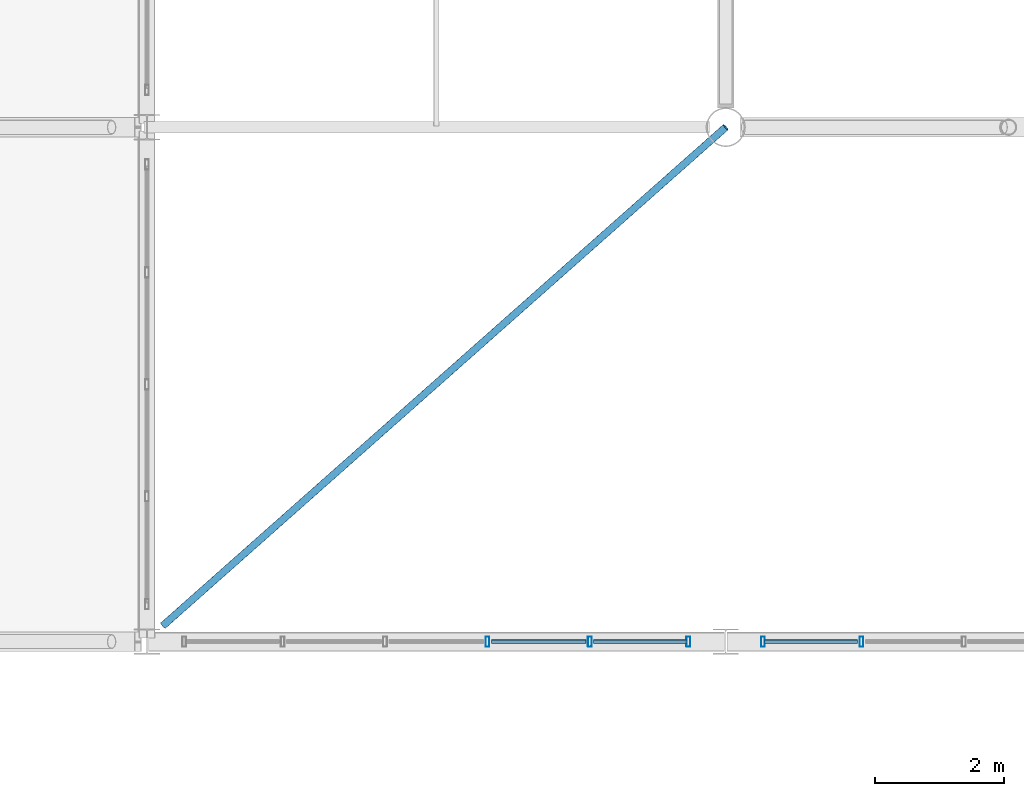
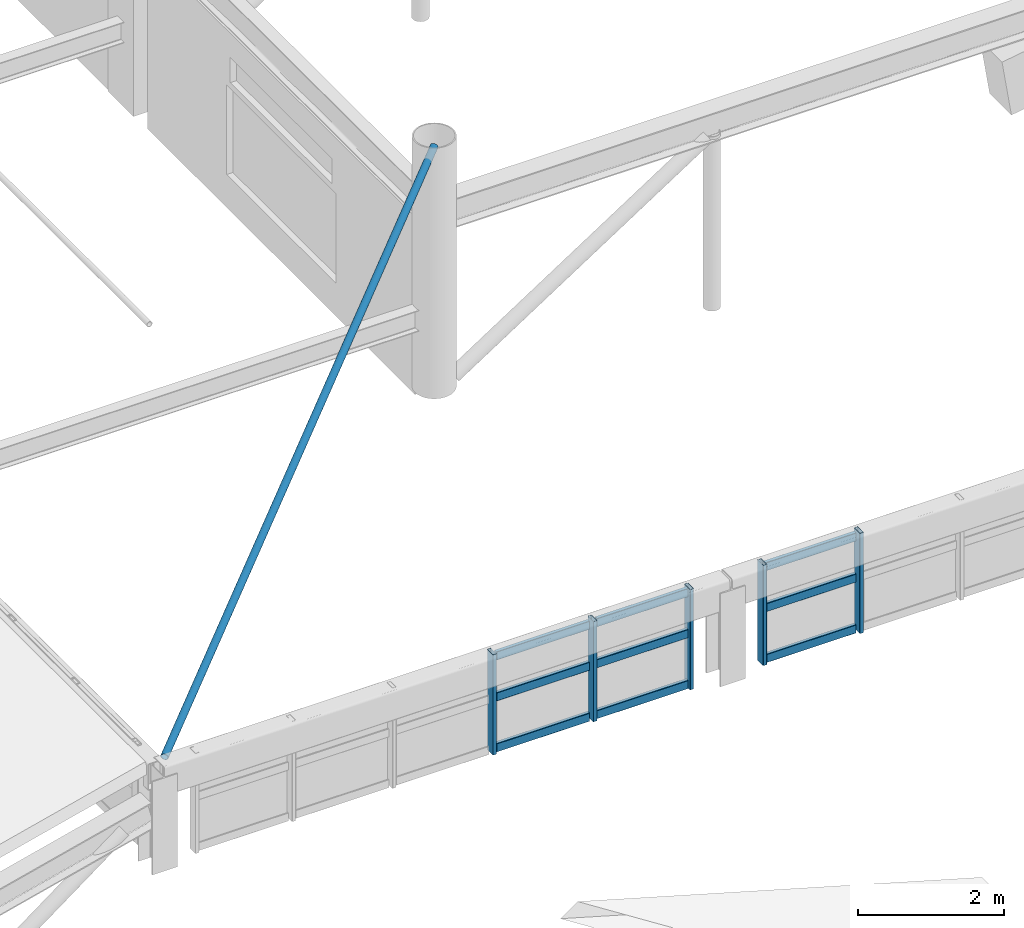
# One storey, part 14 of 128: 15 members, 2 elements without a shape of their own.
"""IFC4 building model written with IfcOpenShell, lengths in metres."""

import ifcopenshell
import ifcopenshell.guid

model = None  # the IFC model being written
_history = None  # IfcOwnerHistory: only IFC2X3 demands one
_inside = {}  # id of a spatial element -> (the spatial element, [elements in it])
_under = {}  # id of a project, library or spatial element -> (it, [spatial elements below it])
_declared = {}  # id of a project -> (the project, [libraries it declares])
_typed = {}  # id of a type object -> (the type object, [elements of that type])
_made_of = {}  # id of a material, layer set ... -> (it, [elements and type objects made of it])


def new_model(schema):
    """Start an empty IFC model of exactly this schema.

    Asked for "IFC4X3", IfcOpenShell would pick the latest addendum, in which some entities
    have other attributes; the version numbers below select the first issue.
    IFC2X3 requires an IfcOwnerHistory on every rooted entity: one is made here for all.
    """
    global model, _history
    if schema == "IFC4X3":
        model = ifcopenshell.file(schema_version=(4, 3, 0, 0))
    else:
        model = ifcopenshell.file(schema=schema)
    _inside.clear()
    _under.clear()
    _declared.clear()
    _typed.clear()
    _made_of.clear()
    _history = None
    if model.schema == "IFC2X3":
        org = make("IfcOrganization", Name="unknown")
        user = make(
            "IfcPersonAndOrganization",
            ThePerson=make("IfcPerson", FamilyName="unknown"),
            TheOrganization=org,
        )
        app = make(
            "IfcApplication",
            ApplicationDeveloper=org,
            Version="unknown",
            ApplicationFullName="unknown",
            ApplicationIdentifier="unknown",
        )
        _history = make(
            "IfcOwnerHistory",
            OwningUser=user,
            OwningApplication=app,
            ChangeAction="ADDED",
            CreationDate=0,
        )
    return model


def make(cls, **values):
    """One entity of the class cls with the attributes given. An attribute that is None is left unset."""
    return model.create_entity(
        cls, **{name: value for name, value in values.items() if value is not None}
    )


def rooted(cls, **values):
    """An entity with a GlobalId (a new one), such as an element, a storey or a relation."""
    return make(cls, GlobalId=ifcopenshell.guid.new(), OwnerHistory=_history, **values)


def si_unit(unit_type, name, prefix=None):
    """IfcSIUnit, for example si_unit("LENGTHUNIT", "METRE", prefix="MILLI")."""
    return make("IfcSIUnit", UnitType=unit_type, Prefix=prefix, Name=name)


def derived_unit(unit_type, elements):
    """IfcDerivedUnit: a product of units, each with its exponent."""
    return make(
        "IfcDerivedUnit",
        Elements=[
            make("IfcDerivedUnitElement", Unit=unit, Exponent=power)
            for unit, power in elements
        ],
        UnitType=unit_type,
    )


def assignment(units):
    """IfcUnitAssignment: the units of a project."""
    return None if units is None else make("IfcUnitAssignment", Units=units)


def point(xyz):
    """IfcCartesianPoint."""
    return None if xyz is None else make("IfcCartesianPoint", Coordinates=xyz)


def direction(xyz):
    """IfcDirection."""
    return None if xyz is None else make("IfcDirection", DirectionRatios=xyz)


def frame(location, z_axis=None, x_axis=None):
    """IfcAxis2Placement3D, a coordinate frame: its origin and axes. An axis left out is left unset."""
    return make(
        "IfcAxis2Placement3D",
        Location=point(location),
        Axis=direction(z_axis),
        RefDirection=direction(x_axis),
    )


def frame_2d(location, x_axis=None):
    """IfcAxis2Placement2D, a coordinate frame in the plane: its origin and x axis."""
    return make(
        "IfcAxis2Placement2D", Location=point(location), RefDirection=direction(x_axis)
    )


def origin():
    """The frame at (0, 0, 0) with its axes left unset."""
    return frame((0.0, 0.0, 0.0))


def origin_2d():
    """The frame at (0, 0) in the plane with its x axis left unset."""
    return frame_2d((0.0, 0.0))


def place(relative_to, where):
    """IfcLocalPlacement: puts the frame where relative to a parent placement (None: the world)."""
    return make(
        "IfcLocalPlacement", PlacementRelTo=relative_to, RelativePlacement=where
    )


def context(
    kind, dimensions, precision=None, world=None, true_north=None, identifier=None
):
    """IfcGeometricRepresentationContext, for example the 3D "Model" context."""
    return make(
        "IfcGeometricRepresentationContext",
        ContextIdentifier=identifier,
        ContextType=kind,
        CoordinateSpaceDimension=dimensions,
        Precision=precision,
        WorldCoordinateSystem=world,
        TrueNorth=true_north,
    )


def subcontext(parent, identifier, kind, view, scale=None):
    """IfcGeometricRepresentationSubContext, for example "Body" below "Model"."""
    return make(
        "IfcGeometricRepresentationSubContext",
        ContextIdentifier=identifier,
        ContextType=kind,
        ParentContext=parent,
        TargetScale=scale,
        TargetView=view,
    )


def project(units=None, contexts=None):
    """IfcProject with its units and contexts."""
    return rooted(
        "IfcProject",
        Name="project",
        RepresentationContexts=contexts,
        UnitsInContext=assignment(units),
    )


def spatial(cls, under=None, at=None, **own):
    """A site, building, storey or space (cls), placed at a placement, below another one or the project."""
    s = rooted(cls, ObjectPlacement=at, **own)
    if under is not None:
        _under.setdefault(under.id(), (under, []))[1].append(s)
    return s


def profile(cls, at=None, kind="AREA", **sizes):
    """A parametric profile (cls). Its sizes go by their IFC names, for example OverallWidth=200.0."""
    return make(cls, ProfileType=kind, Position=at, **sizes)


def hollow_rectangle(**sizes):
    """IfcRectangleHollowProfileDef."""
    return profile("IfcRectangleHollowProfileDef", **sizes)


def hollow_circle(**sizes):
    """IfcCircleHollowProfileDef."""
    return profile("IfcCircleHollowProfileDef", **sizes)


def extrude(swept, where, along, depth):
    """IfcExtrudedAreaSolid: the profile swept, set in the frame where, extruded along a direction by depth."""
    return make(
        "IfcExtrudedAreaSolid",
        SweptArea=swept,
        Position=where,
        ExtrudedDirection=direction(along),
        Depth=depth,
    )


def shape(context_of_items, identifier, shape_type, items):
    """IfcShapeRepresentation: the items that make up one representation, for example the "Body"."""
    return make(
        "IfcShapeRepresentation",
        ContextOfItems=context_of_items,
        RepresentationIdentifier=identifier,
        RepresentationType=shape_type,
        Items=items,
    )


def material(Name=None, Category=None):
    """IfcMaterial."""
    return make("IfcMaterial", Name=Name, Category=Category)


def material_profile(
    of_material, cross_section, Name=None, Category=None, Priority=None
):
    """IfcMaterialProfile: a cross section and its material."""
    return make(
        "IfcMaterialProfile",
        Name=Name,
        Material=of_material,
        Profile=cross_section,
        Priority=Priority,
        Category=Category,
    )


def profile_set(profiles, Name=None, composite=None):
    """IfcMaterialProfileSet."""
    return make(
        "IfcMaterialProfileSet",
        Name=Name,
        MaterialProfiles=profiles,
        CompositeProfile=composite,
    )


def made_of(thing, what):
    """Note that an element or type object is made of a material, layer set ...; save() writes the relation."""
    if what is not None:
        _made_of.setdefault(what.id(), (what, []))[1].append(thing)
    return thing


def type_object(cls, material=None, **own):
    """A type object (cls), such as IfcWallType, which elements share."""
    return made_of(rooted(cls, **own), material)


def element(
    cls,
    number,
    at=None,
    inside=None,
    cuts=None,
    type_object=None,
    material=None,
    context=None,
    identifier="Body",
    shape_type=None,
    held_by="IfcProductDefinitionShape",
    body=None,
    shapes=None,
    **own,
):
    """One element of the class cls, such as IfcWall. Its Tag is "e" and its number.

    at: its placement. inside: the storey or other place that contains it. cuts: it is an
    opening in that element (IfcRelVoidsElement). A single representation is given by context,
    identifier, shape_type and body (its items); several are given by shapes. held_by: the class
    of the entity that holds the representations. save() writes the other relations.
    """
    e = rooted(cls, Tag="e%d" % number, ObjectPlacement=at, **own)
    if body is not None:
        shapes = [shape(context, identifier, shape_type, body)]
    if shapes is not None:
        e.Representation = make(held_by, Representations=shapes)
    if inside is not None:
        _inside.setdefault(inside.id(), (inside, []))[1].append(e)
    if cuts is not None:
        rooted(
            "IfcRelVoidsElement", RelatingBuildingElement=cuts, RelatedOpeningElement=e
        )
    if type_object is not None:
        _typed.setdefault(type_object.id(), (type_object, []))[1].append(e)
    return made_of(e, material)


def aggregate(whole, parts):
    """IfcRelAggregates: a whole, such as a stair, and the parts it consists of."""
    return rooted("IfcRelAggregates", RelatingObject=whole, RelatedObjects=parts)


def save(model, path):
    """Write the relations noted so far, then the file.

    IfcRelAggregates (storeys below a building ...), IfcRelContainedInSpatialStructure (elements
    in a storey), IfcRelDefinesByType, IfcRelAssociatesMaterial and IfcRelDeclares: one each for
    every whole, place, type object, material and project.
    """
    for whole, parts in _under.values():
        aggregate(whole, parts)
    for where, things in _inside.values():
        rooted(
            "IfcRelContainedInSpatialStructure",
            RelatedElements=things,
            RelatingStructure=where,
        )
    for kind, things in _typed.values():
        rooted("IfcRelDefinesByType", RelatedObjects=things, RelatingType=kind)
    for what, things in _made_of.values():
        rooted("IfcRelAssociatesMaterial", RelatedObjects=things, RelatingMaterial=what)
    for by, libraries in _declared.values():
        rooted("IfcRelDeclares", RelatingContext=by, RelatedDefinitions=libraries)
    model.write(path)


model = new_model("IFC4")

# Units and contexts
model_context = context("Model", 3, precision=1e-05, world=origin(), true_north=direction((0.0, 1.0)))
body_context = subcontext(model_context, "Body", "Model", "MODEL_VIEW")
ifc_project = project(units=[si_unit("LENGTHUNIT", "METRE"), si_unit("AREAUNIT", "SQUARE_METRE"), si_unit("VOLUMEUNIT", "CUBIC_METRE"), si_unit("PLANEANGLEUNIT", "RADIAN"), si_unit("MASSUNIT", "GRAM", prefix="KILO"), derived_unit("THERMALTRANSMITTANCEUNIT", [(si_unit("MASSUNIT", "GRAM", prefix="KILO"), 1), (si_unit("TIMEUNIT", "SECOND"), -3), (si_unit("THERMODYNAMICTEMPERATUREUNIT", "KELVIN"), -1)])], contexts=[model_context])

# Site, building, storey
site_placement = place(None, origin())
site = spatial("IfcSite", under=ifc_project, at=site_placement, CompositionType="ELEMENT")
building_placement = place(site_placement, origin())
building = spatial("IfcBuilding", under=site, at=building_placement, Name="Zhenchuan Archway Interchange", CompositionType="ELEMENT")
storey_placement = place(building_placement, frame((0.0, 0.0, 14.39990234375)))
storey = spatial("IfcBuildingStorey", under=building, at=storey_placement, Name="L03", CompositionType="ELEMENT", Elevation=14.39990234375)

# Curtain wall, members
ifc_material_1 = material(Name="Anodised Aluminium", Category="aluminium")
curtain_wall_type = type_object("IfcCurtainWallType", Name="CW_UNIT_4", PredefinedType="NOTDEFINED", material=ifc_material_1)
curtain_wall_1_placement = place(storey_placement, origin())
curtain_wall_1 = element("IfcCurtainWall", 1, at=curtain_wall_1_placement, inside=storey, type_object=curtain_wall_type, Name="Unitised curtain wall CW:L03:RING-S1", PredefinedType="NOTDEFINED")
ifc_material_profile_1 = material_profile(ifc_material_1, hollow_rectangle(XDim=0.06005859375, YDim=0.159912109375, WallThickness=0.00390625, InnerFilletRadius=0.00390625, OuterFilletRadius=0.008056640625, at=origin_2d()), Name="ALU 160x60x4")
ifc_profile_set_1 = profile_set([ifc_material_profile_1], Name="Anodised Aluminium")
member_type_1 = type_object("IfcMemberType", Name="CW_MUL_150", PredefinedType="MULLION", material=ifc_profile_set_1)
member_1_placement = place(storey_placement, frame((32.2958984375, 24.0, 0.02001953125), z_axis=(0.0, 0.0, 1.0), x_axis=(1.0, 0.0, 0.0)))
member_1 = element("IfcMember", 2, at=member_1_placement, type_object=member_type_1, Name="CW:L03:RING-S1 mullion 3", PredefinedType="MULLION", context=body_context, shape_type="SweptSolid", body=[
    extrude(hollow_rectangle(XDim=0.06005859375, YDim=0.159912109375, WallThickness=0.00390625, InnerFilletRadius=0.00390625, OuterFilletRadius=0.008056640625, at=origin_2d()), origin(), (0.0, 0.0, 1.0), 1.68017578125),
])
member_2_placement = place(storey_placement, frame((33.887939453125, 24.0, 0.02001953125), z_axis=(0.0, 0.0, 1.0), x_axis=(1.0, 0.0, 0.0)))
member_2 = element("IfcMember", 3, at=member_2_placement, type_object=member_type_1, Name="CW:L03:RING-S1 mullion 4", PredefinedType="MULLION", context=body_context, shape_type="SweptSolid", body=[
    extrude(hollow_rectangle(XDim=0.06005859375, YDim=0.159912109375, WallThickness=0.00390625, InnerFilletRadius=0.00390625, OuterFilletRadius=0.008056640625, at=origin_2d()), origin(), (0.0, 0.0, 1.0), 1.68017578125),
])
member_3_placement = place(storey_placement, frame((35.419921875, 24.0, 0.02001953125), z_axis=(0.0, 0.0, 1.0), x_axis=(1.0, 0.0, 0.0)))
member_3 = element("IfcMember", 4, at=member_3_placement, type_object=member_type_1, Name="CW:L03:RING-S1 mullion 5", PredefinedType="MULLION", context=body_context, shape_type="SweptSolid", body=[
    extrude(hollow_rectangle(XDim=0.06005859375, YDim=0.159912109375, WallThickness=0.00390625, InnerFilletRadius=0.00390625, OuterFilletRadius=0.008056640625, at=origin_2d()), origin(), (0.0, 0.0, 1.0), 1.68017578125),
])

curtain_wall_2_placement = place(storey_placement, origin())
curtain_wall_2 = element("IfcCurtainWall", 5, at=curtain_wall_2_placement, inside=storey, type_object=curtain_wall_type, Name="Unitised curtain wall CW:L03:RING-S2", PredefinedType="NOTDEFINED")
member_4_placement = place(storey_placement, frame((36.580078125, 24.0, 0.02001953125), z_axis=(0.0, 0.0, 1.0), x_axis=(1.0, 0.0, 0.0)))
member_4 = element("IfcMember", 6, at=member_4_placement, type_object=member_type_1, Name="CW:L03:RING-S2 mullion 0", PredefinedType="MULLION", context=body_context, shape_type="SweptSolid", body=[
    extrude(hollow_rectangle(XDim=0.06005859375, YDim=0.159912109375, WallThickness=0.00390625, InnerFilletRadius=0.00390625, OuterFilletRadius=0.008056640625, at=origin_2d()), origin(), (0.0, 0.0, 1.0), 1.68017578125),
])
member_5_placement = place(storey_placement, frame((38.112060546875, 24.0, 0.02001953125), z_axis=(0.0, 0.0, 1.0), x_axis=(1.0, 0.0, 0.0)))
member_5 = element("IfcMember", 7, at=member_5_placement, type_object=member_type_1, Name="CW:L03:RING-S2 mullion 1", PredefinedType="MULLION", context=body_context, shape_type="SweptSolid", body=[
    extrude(hollow_rectangle(XDim=0.06005859375, YDim=0.159912109375, WallThickness=0.00390625, InnerFilletRadius=0.00390625, OuterFilletRadius=0.008056640625, at=origin_2d()), origin(), (0.0, 0.0, 1.0), 1.68017578125),
])

# Member
ifc_material_profile_2 = material_profile(ifc_material_1, hollow_rectangle(XDim=0.06005859375, YDim=0.139892578125, WallThickness=0.00341796875, InnerFilletRadius=0.00341796875, OuterFilletRadius=0.007080078125, at=origin_2d()), Name="ALU 140x60x3.5")
ifc_profile_set_2 = profile_set([ifc_material_profile_2], Name="Anodised Aluminium")
member_type_2 = type_object("IfcMemberType", Name="CW_TRN_140", PredefinedType="USERDEFINED", material=ifc_profile_set_2)
member_6_placement = place(storey_placement, frame((32.35595703125, 24.0, 0.080078125), z_axis=(1.0, 0.0, 0.0), x_axis=(0.0, 1.0, 0.0)))
member_6 = element("IfcMember", 8, at=member_6_placement, type_object=member_type_2, Name="CW:L03:RING-S1 transom 3-1", ObjectType="TRANSOM", PredefinedType="USERDEFINED", context=body_context, shape_type="SweptSolid", body=[
    extrude(hollow_rectangle(XDim=0.06005859375, YDim=0.139892578125, WallThickness=0.00341796875, InnerFilletRadius=0.00341796875, OuterFilletRadius=0.007080078125, at=origin_2d()), origin(), (0.0, 0.0, 1.0), 1.471923828125),
])

member_7_placement = place(storey_placement, frame((32.35595703125, 24.0, 0.93310546875), z_axis=(1.0, 0.0, 0.0), x_axis=(0.0, 1.0, 0.0)))
member_7 = element("IfcMember", 9, at=member_7_placement, type_object=member_type_2, Name="CW:L03:RING-S1 transom 3-2", ObjectType="TRANSOM", PredefinedType="USERDEFINED", context=body_context, shape_type="SweptSolid", body=[
    extrude(hollow_rectangle(XDim=0.06005859375, YDim=0.139892578125, WallThickness=0.00341796875, InnerFilletRadius=0.00341796875, OuterFilletRadius=0.007080078125, at=origin_2d()), origin(), (0.0, 0.0, 1.0), 1.471923828125),
])

member_8_placement = place(storey_placement, frame((32.35595703125, 24.0, 1.6201171875), z_axis=(1.0, 0.0, 0.0), x_axis=(0.0, 1.0, 0.0)))
member_8 = element("IfcMember", 10, at=member_8_placement, type_object=member_type_2, Name="CW:L03:RING-S1 transom 3-3", ObjectType="TRANSOM", PredefinedType="USERDEFINED", context=body_context, shape_type="SweptSolid", body=[
    extrude(hollow_rectangle(XDim=0.06005859375, YDim=0.139892578125, WallThickness=0.00341796875, InnerFilletRadius=0.00341796875, OuterFilletRadius=0.007080078125, at=origin_2d()), origin(), (0.0, 0.0, 1.0), 1.471923828125),
])

member_9_placement = place(storey_placement, frame((33.947998046875, 24.0, 0.080078125), z_axis=(1.0, 0.0, 0.0), x_axis=(0.0, 1.0, 0.0)))
member_9 = element("IfcMember", 11, at=member_9_placement, type_object=member_type_2, Name="CW:L03:RING-S1 transom 4-1", ObjectType="TRANSOM", PredefinedType="USERDEFINED", context=body_context, shape_type="SweptSolid", body=[
    extrude(hollow_rectangle(XDim=0.06005859375, YDim=0.139892578125, WallThickness=0.00341796875, InnerFilletRadius=0.00341796875, OuterFilletRadius=0.007080078125, at=origin_2d()), origin(), (0.0, 0.0, 1.0), 1.451904296875),
])

member_10_placement = place(storey_placement, frame((33.947998046875, 24.0, 0.93310546875), z_axis=(1.0, 0.0, 0.0), x_axis=(0.0, 1.0, 0.0)))
member_10 = element("IfcMember", 12, at=member_10_placement, type_object=member_type_2, Name="CW:L03:RING-S1 transom 4-2", ObjectType="TRANSOM", PredefinedType="USERDEFINED", context=body_context, shape_type="SweptSolid", body=[
    extrude(hollow_rectangle(XDim=0.06005859375, YDim=0.139892578125, WallThickness=0.00341796875, InnerFilletRadius=0.00341796875, OuterFilletRadius=0.007080078125, at=origin_2d()), origin(), (0.0, 0.0, 1.0), 1.451904296875),
])

member_11_placement = place(storey_placement, frame((33.947998046875, 24.0, 1.6201171875), z_axis=(1.0, 0.0, 0.0), x_axis=(0.0, 1.0, 0.0)))
member_11 = element("IfcMember", 13, at=member_11_placement, type_object=member_type_2, Name="CW:L03:RING-S1 transom 4-3", ObjectType="TRANSOM", PredefinedType="USERDEFINED", context=body_context, shape_type="SweptSolid", body=[
    extrude(hollow_rectangle(XDim=0.06005859375, YDim=0.139892578125, WallThickness=0.00341796875, InnerFilletRadius=0.00341796875, OuterFilletRadius=0.007080078125, at=origin_2d()), origin(), (0.0, 0.0, 1.0), 1.451904296875),
])

aggregate(curtain_wall_1, [member_1, member_2, member_3, member_6, member_7, member_8, member_9, member_10, member_11])

member_12_placement = place(storey_placement, frame((36.60009765625, 24.0, 0.080078125), z_axis=(1.0, 0.0, 0.0), x_axis=(0.0, 1.0, 0.0)))
member_12 = element("IfcMember", 14, at=member_12_placement, type_object=member_type_2, Name="CW:L03:RING-S2 transom 0-1", ObjectType="TRANSOM", PredefinedType="USERDEFINED", context=body_context, shape_type="SweptSolid", body=[
    extrude(hollow_rectangle(XDim=0.06005859375, YDim=0.139892578125, WallThickness=0.00341796875, InnerFilletRadius=0.00341796875, OuterFilletRadius=0.007080078125, at=origin_2d()), origin(), (0.0, 0.0, 1.0), 1.451904296875),
])

member_13_placement = place(storey_placement, frame((36.60009765625, 24.0, 0.93310546875), z_axis=(1.0, 0.0, 0.0), x_axis=(0.0, 1.0, 0.0)))
member_13 = element("IfcMember", 15, at=member_13_placement, type_object=member_type_2, Name="CW:L03:RING-S2 transom 0-2", ObjectType="TRANSOM", PredefinedType="USERDEFINED", context=body_context, shape_type="SweptSolid", body=[
    extrude(hollow_rectangle(XDim=0.06005859375, YDim=0.139892578125, WallThickness=0.00341796875, InnerFilletRadius=0.00341796875, OuterFilletRadius=0.007080078125, at=origin_2d()), origin(), (0.0, 0.0, 1.0), 1.451904296875),
])

member_14_placement = place(storey_placement, frame((36.60009765625, 24.0, 1.6201171875), z_axis=(1.0, 0.0, 0.0), x_axis=(0.0, 1.0, 0.0)))
member_14 = element("IfcMember", 16, at=member_14_placement, type_object=member_type_2, Name="CW:L03:RING-S2 transom 0-3", ObjectType="TRANSOM", PredefinedType="USERDEFINED", context=body_context, shape_type="SweptSolid", body=[
    extrude(hollow_rectangle(XDim=0.06005859375, YDim=0.139892578125, WallThickness=0.00341796875, InnerFilletRadius=0.00341796875, OuterFilletRadius=0.007080078125, at=origin_2d()), origin(), (0.0, 0.0, 1.0), 1.451904296875),
])

aggregate(curtain_wall_2, [member_4, member_5, member_12, member_13, member_14])

ifc_material_2 = material(Name="Steel Q390", Category="steel")
ifc_material_profile_3 = material_profile(ifc_material_2, hollow_circle(Radius=0.056884765625, WallThickness=0.006103515625, at=origin_2d()), Name="CHS 114x6")
ifc_profile_set_3 = profile_set([ifc_material_profile_3], Name="Steel Q390")
member_type_3 = type_object("IfcMemberType", Name="MB_CBL_CHS114", PredefinedType="USERDEFINED", material=ifc_profile_set_3)
member_15_placement = place(storey_placement, frame((36.0, 32.0, 4.02001953125), z_axis=(-0.732414406249, -0.648709902677, -0.206747671541), x_axis=(0.663035245296, -0.748588180173, 0.0)))
element("IfcMember", 17, at=member_15_placement, inside=storey, type_object=member_type_3, Name="CONCOURSE ROOF CABLE hip anchor strand SW1", ObjectType="CABLE", PredefinedType="USERDEFINED", context=body_context, shape_type="SweptSolid", body=[
    extrude(hollow_circle(Radius=0.056884765625, WallThickness=0.006103515625, at=origin_2d()), origin(), (0.0, 0.0, 1.0), 11.94677734375),
])

save(model, "model.ifc")
